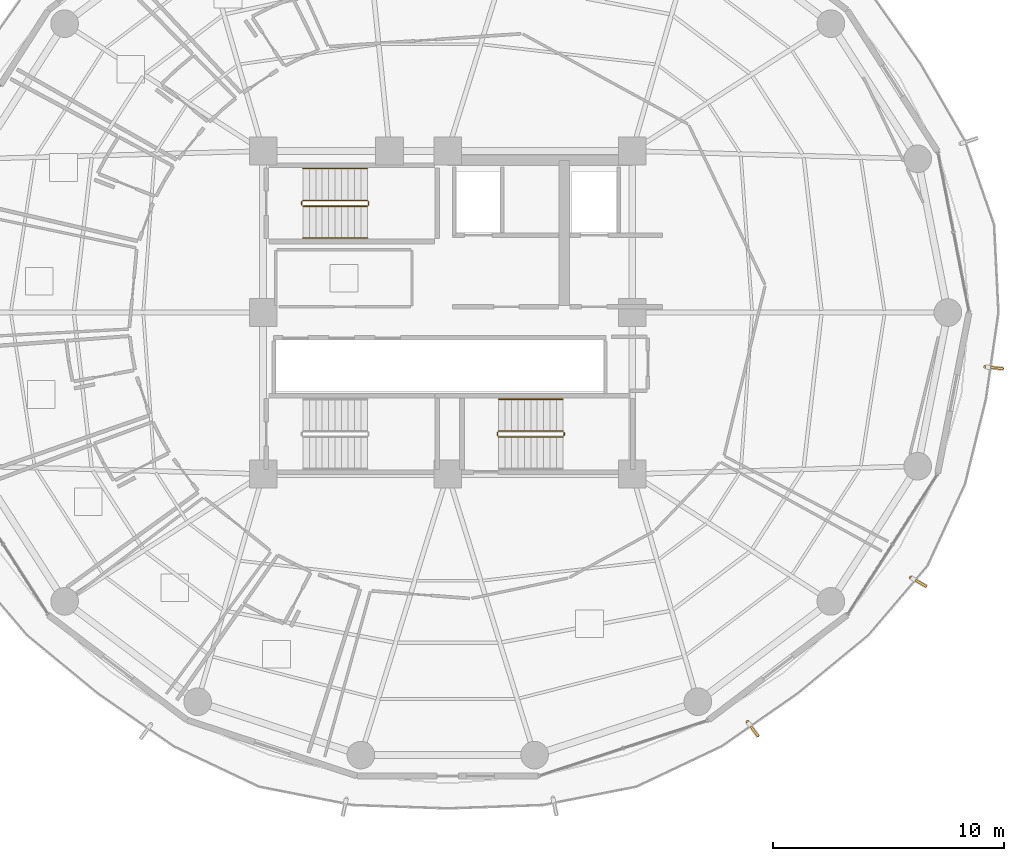
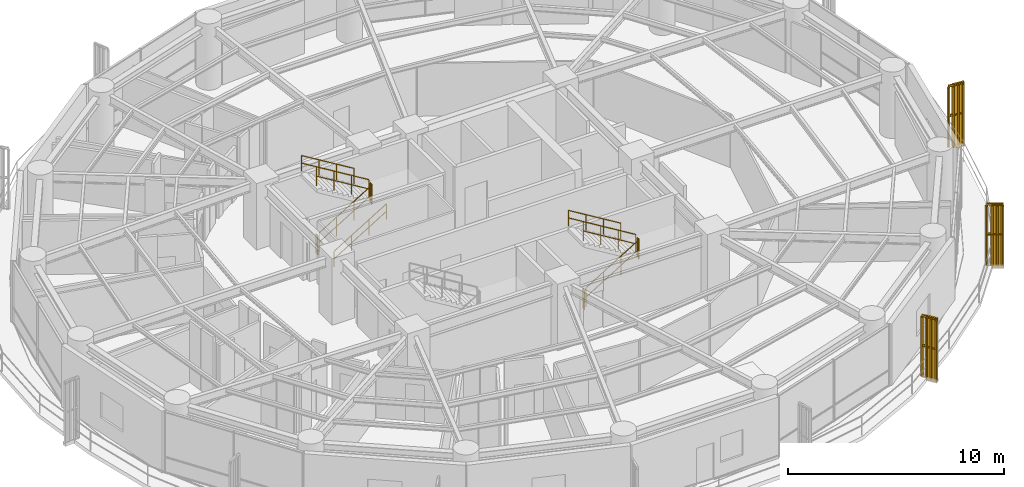
# One storey, part 27 of 28: 14 railings, 3 shading devices.
"""IFC4 building model written with IfcOpenShell, lengths in metres."""

from ifc_helpers import new_model, si_unit, direction, frame, origin, origin_2d, place, context, subcontext, project, spatial, polyline, rectangle, outline, extrude, source, transform, mapped, material, type_object, element, save


model = new_model("IFC4")

# Units and contexts
model_context = context("Model", 3, precision=1e-05, world=origin(), true_north=direction((0.0, 1.0)))
body_context = subcontext(model_context, "Body", "Model", "MODEL_VIEW")
ifc_project = project(units=[si_unit("LENGTHUNIT", "METRE"), si_unit("AREAUNIT", "SQUARE_METRE"), si_unit("VOLUMEUNIT", "CUBIC_METRE"), si_unit("PLANEANGLEUNIT", "RADIAN"), si_unit("MASSUNIT", "GRAM", prefix="KILO")], contexts=[model_context])

# Site, building, storey
site_placement = place(None, origin())
site = spatial("IfcSite", under=ifc_project, at=site_placement, CompositionType="ELEMENT")
building_placement = place(site_placement, origin())
building = spatial("IfcBuilding", under=site, at=building_placement, Name="Kelanora Arch Commons", CompositionType="ELEMENT")
storey_placement = place(building_placement, frame((0.0, 0.0, 139.35009765625)))
storey = spatial("IfcBuildingStorey", under=building, at=storey_placement, Name="L35", CompositionType="ELEMENT", Elevation=139.35009765625)

# Railings
ifc_material_1 = material(Name="Anodised bronze vertical shading fin rib assembly")
railing_type_1 = type_object("IfcRailingType", Name="RAIL-FIN-BRZ", PredefinedType="BALUSTRADE", material=ifc_material_1)
railing_1_placement = place(storey_placement, frame((87.00048828125, 40.251953125, -0.02001953125)))
element("IfcRailing", 1, at=railing_1_placement, inside=storey, type_object=railing_type_1, Name="Sweeping Bronze Vertical Fin Blade L35-12", PredefinedType="BALUSTRADE", context=body_context, shape_type="SweptSolid", body=[
    extrude(outline(polyline([(0.06982421875, 0.0), (0.034912109375, 0.060546875), (-0.034912109375, 0.060546875), (-0.06982421875, 0.0), (-0.034912109375, -0.060546875), (0.034912109375, -0.060546875), (0.06982421875, 0.0)])), frame((0.0, 0.0, 3.419921875), z_axis=(0.591103324917, -0.806595846303, 0.0), x_axis=(0.806595846303, 0.591103324917, 0.0)), (0.0, 0.0, 1.0), 0.73193359375),
    extrude(outline(polyline([(0.06982421875, 0.0), (0.034912109375, 0.060546875), (-0.034912109375, 0.060546875), (-0.06982421875, 0.0), (-0.034912109375, -0.060546875), (0.034912109375, -0.060546875), (0.06982421875, 0.0)])), frame((0.0, 0.0, 1.7451171875), z_axis=(0.591103324917, -0.806595846303, 0.0), x_axis=(0.806595846303, 0.591103324917, 0.0)), (0.0, 0.0, 1.0), 0.73193359375),
    extrude(outline(polyline([(0.080078125, 0.0), (0.0400390625, 0.0693359375), (-0.0400390625, 0.0693359375), (-0.080078125, 0.0), (-0.0400390625, -0.0693359375), (0.0400390625, -0.0693359375), (0.080078125, 0.0)])), origin(), (0.0, 0.0, 1.0), 3.35009765625),
    extrude(outline(polyline([(0.080078125, 0.0), (0.0400390625, 0.0693359375), (-0.0400390625, 0.0693359375), (-0.080078125, 0.0), (-0.0400390625, -0.0693359375), (0.0400390625, -0.0693359375), (0.080078125, 0.0)])), frame((0.144287109375, -0.19677734375, 0.0)), (0.0, 0.0, 1.0), 3.35009765625),
    extrude(outline(polyline([(0.080078125, 0.0), (0.0400390625, 0.0693359375), (-0.0400390625, 0.0693359375), (-0.080078125, 0.0), (-0.0400390625, -0.0693359375), (0.0400390625, -0.0693359375), (0.080078125, 0.0)])), frame((0.288330078125, -0.3935546875, 0.0)), (0.0, 0.0, 1.0), 3.35009765625),
    extrude(outline(polyline([(0.080078125, 0.0), (0.0400390625, 0.0693359375), (-0.0400390625, 0.0693359375), (-0.080078125, 0.0), (-0.0400390625, -0.0693359375), (0.0400390625, -0.0693359375), (0.080078125, 0.0)])), frame((0.4326171875, -0.59033203125, 0.0)), (0.0, 0.0, 1.0), 3.35009765625),
])
railing_2_placement = place(storey_placement, frame((94.077880859375, 46.511962890625, -0.02001953125)))
element("IfcRailing", 2, at=railing_2_placement, inside=storey, type_object=railing_type_1, Name="Sweeping Bronze Vertical Fin Blade L35-13", PredefinedType="BALUSTRADE", context=body_context, shape_type="SweptSolid", body=[
    extrude(outline(polyline([(0.06982421875, 0.0), (0.034912109375, 0.060546875), (-0.034912109375, 0.060546875), (-0.06982421875, 0.0), (-0.034912109375, -0.060546875), (0.034912109375, -0.060546875), (0.06982421875, 0.0)])), frame((0.0, 0.0, 3.419921875), z_axis=(0.867996598223, -0.496570141544, 0.0), x_axis=(0.496570141544, 0.867996598223, 0.0)), (0.0, 0.0, 1.0), 0.731689453125),
    extrude(outline(polyline([(0.06982421875, 0.0), (0.034912109375, 0.060546875), (-0.034912109375, 0.060546875), (-0.06982421875, 0.0), (-0.034912109375, -0.060546875), (0.034912109375, -0.060546875), (0.06982421875, 0.0)])), frame((0.0, 0.0, 1.7451171875), z_axis=(0.867996598223, -0.496570141544, 0.0), x_axis=(0.496570141544, 0.867996598223, 0.0)), (0.0, 0.0, 1.0), 0.731689453125),
    extrude(outline(polyline([(0.080078125, 0.0), (0.0400390625, 0.0693359375), (-0.0400390625, 0.0693359375), (-0.080078125, 0.0), (-0.0400390625, -0.0693359375), (0.0400390625, -0.0693359375), (0.080078125, 0.0)])), origin(), (0.0, 0.0, 1.0), 3.35009765625),
    extrude(outline(polyline([(0.080078125, 0.0), (0.0400390625, 0.0693359375), (-0.0400390625, 0.0693359375), (-0.080078125, 0.0), (-0.0400390625, -0.0693359375), (0.0400390625, -0.0693359375), (0.080078125, 0.0)])), frame((0.211669921875, -0.12109375, 0.0)), (0.0, 0.0, 1.0), 3.35009765625),
    extrude(outline(polyline([(0.080078125, 0.0), (0.0400390625, 0.0693359375), (-0.0400390625, 0.0693359375), (-0.080078125, 0.0), (-0.0400390625, -0.0693359375), (0.0400390625, -0.0693359375), (0.080078125, 0.0)])), frame((0.42333984375, -0.2421875, 0.0)), (0.0, 0.0, 1.0), 3.35009765625),
    extrude(outline(polyline([(0.080078125, 0.0), (0.0400390625, 0.0693359375), (-0.0400390625, 0.0693359375), (-0.080078125, 0.0), (-0.0400390625, -0.0693359375), (0.0400390625, -0.0693359375), (0.080078125, 0.0)])), frame((0.635009765625, -0.36328125, 0.0)), (0.0, 0.0, 1.0), 3.35009765625),
])
railing_3_placement = place(storey_placement, frame((97.304931640625, 55.64208984375, -0.02001953125)))
element("IfcRailing", 3, at=railing_3_placement, inside=storey, type_object=railing_type_1, Name="Sweeping Bronze Vertical Fin Blade L35-14", PredefinedType="BALUSTRADE", context=body_context, shape_type="SweptSolid", body=[
    extrude(outline(polyline([(0.06982421875, 0.0), (0.034912109375, 0.060546875), (-0.034912109375, 0.060546875), (-0.06982421875, 0.0), (-0.034912109375, -0.060546875), (0.034912109375, -0.060546875), (0.06982421875, 0.0)])), frame((0.0, 0.0, 3.419921875), z_axis=(0.994947626755, -0.10039531869, 0.0), x_axis=(0.10039531869, 0.994947626755, 0.0)), (0.0, 0.0, 1.0), 0.73193359375),
    extrude(outline(polyline([(0.06982421875, 0.0), (0.034912109375, 0.060546875), (-0.034912109375, 0.060546875), (-0.06982421875, 0.0), (-0.034912109375, -0.060546875), (0.034912109375, -0.060546875), (0.06982421875, 0.0)])), frame((0.0, 0.0, 1.7451171875), z_axis=(0.994947626755, -0.10039531869, 0.0), x_axis=(0.10039531869, 0.994947626755, 0.0)), (0.0, 0.0, 1.0), 0.73193359375),
    extrude(outline(polyline([(0.080078125, 0.0), (0.0400390625, 0.0693359375), (-0.0400390625, 0.0693359375), (-0.080078125, 0.0), (-0.0400390625, -0.0693359375), (0.0400390625, -0.0693359375), (0.080078125, 0.0)])), origin(), (0.0, 0.0, 1.0), 3.35009765625),
    extrude(outline(polyline([(0.080078125, 0.0), (0.0400390625, 0.0693359375), (-0.0400390625, 0.0693359375), (-0.080078125, 0.0), (-0.0400390625, -0.0693359375), (0.0400390625, -0.0693359375), (0.080078125, 0.0)])), frame((0.24267578125, -0.0244140625, 0.0)), (0.0, 0.0, 1.0), 3.35009765625),
    extrude(outline(polyline([(0.080078125, 0.0), (0.0400390625, 0.0693359375), (-0.0400390625, 0.0693359375), (-0.080078125, 0.0), (-0.0400390625, -0.0693359375), (0.0400390625, -0.0693359375), (0.080078125, 0.0)])), frame((0.485595703125, -0.049072265625, 0.0)), (0.0, 0.0, 1.0), 3.35009765625),
    extrude(outline(polyline([(0.080078125, 0.0), (0.0400390625, 0.0693359375), (-0.0400390625, 0.0693359375), (-0.080078125, 0.0), (-0.0400390625, -0.0693359375), (0.0400390625, -0.0693359375), (0.080078125, 0.0)])), frame((0.728271484375, -0.073486328125, 0.0)), (0.0, 0.0, 1.0), 3.35009765625),
])
ifc_material_2 = material(Name="Painted steel stair well guard", Category="steel")
railing_type_2 = type_object("IfcRailingType", Name="RAIL-STAIR-GRD", PredefinedType="GUARDRAIL", material=ifc_material_2)
railing_4_placement = place(storey_placement, frame((67.719970703125, 62.610107421875, 0.17041015625)))
element("IfcRailing", 4, at=railing_4_placement, inside=storey, type_object=railing_type_2, Name="L35 ST-T1 stair guard 1", PredefinedType="GUARDRAIL", context=body_context, shape_type="SweptSolid", body=[
    extrude(outline(polyline([(0.02392578125, 0.0), (0.011962890625, 0.020751953125), (-0.011962890625, 0.020751953125), (-0.02392578125, 0.0), (-0.011962890625, -0.020751953125), (0.011962890625, -0.020751953125), (0.02392578125, 0.0)])), frame((0.0, 0.0, 1.076171875), z_axis=(0.854169791009, 0.0, 0.51999420009), x_axis=(0.0, 1.0, 0.0)), (0.0, 0.0, 1.0), 3.278076171875),
    extrude(outline(polyline([(0.02392578125, 0.0), (0.011962890625, 0.020751953125), (-0.011962890625, 0.020751953125), (-0.02392578125, 0.0), (-0.011962890625, -0.020751953125), (0.011962890625, -0.020751953125), (0.02392578125, 0.0)])), frame((0.0, 0.0, 0.550048828125), z_axis=(0.854169791009, 0.0, 0.51999420009), x_axis=(0.0, 1.0, 0.0)), (0.0, 0.0, 1.0), 3.278076171875),
    extrude(outline(polyline([(0.02099609375, 0.0), (0.010498046875, 0.01806640625), (-0.010498046875, 0.01806640625), (-0.02099609375, 0.0), (-0.010498046875, -0.01806640625), (0.010498046875, -0.01806640625), (0.02099609375, 0.0)])), origin(), (0.0, 0.0, 1.0), 1.052001953125),
    extrude(outline(polyline([(0.02099609375, 0.0), (0.010498046875, 0.01806640625), (-0.010498046875, 0.01806640625), (-0.02099609375, 0.0), (-0.010498046875, -0.01806640625), (0.010498046875, -0.01806640625), (0.02099609375, 0.0)])), frame((0.933349609375, 0.0, 0.568115234375)), (0.0, 0.0, 1.0), 1.052001953125),
    extrude(outline(polyline([(0.02099609375, 0.0), (0.010498046875, 0.01806640625), (-0.010498046875, 0.01806640625), (-0.02099609375, 0.0), (-0.010498046875, -0.01806640625), (0.010498046875, -0.01806640625), (0.02099609375, 0.0)])), frame((1.86669921875, 0.0, 1.136474609375)), (0.0, 0.0, 1.0), 1.052001953125),
    extrude(outline(polyline([(0.02099609375, 0.0), (0.010498046875, 0.01806640625), (-0.010498046875, 0.01806640625), (-0.02099609375, 0.0), (-0.010498046875, -0.01806640625), (0.010498046875, -0.01806640625), (0.02099609375, 0.0)])), frame((2.800048828125, 0.0, 1.70458984375)), (0.0, 0.0, 1.0), 1.052001953125),
])
railing_5_placement = place(storey_placement, frame((70.570068359375, 62.659912109375, 1.875)))
element("IfcRailing", 5, at=railing_5_placement, inside=storey, type_object=railing_type_2, Name="L35 ST-T1 stair guard 2", PredefinedType="GUARDRAIL", context=body_context, shape_type="SweptSolid", body=[
    extrude(outline(polyline([(0.02392578125, 0.0), (0.011962890625, 0.020751953125), (-0.011962890625, 0.020751953125), (-0.02392578125, 0.0), (-0.011962890625, -0.020751953125), (0.011962890625, -0.020751953125), (0.02392578125, 0.0)])), frame((0.0, 0.0, 1.076171875), z_axis=(0.0, 1.0, 0.0), x_axis=(-1.0, 0.0, 0.0)), (0.0, 0.0, 1.0), 0.150146484375),
    extrude(outline(polyline([(0.02392578125, 0.0), (0.011962890625, 0.020751953125), (-0.011962890625, 0.020751953125), (-0.02392578125, 0.0), (-0.011962890625, -0.020751953125), (0.011962890625, -0.020751953125), (0.02392578125, 0.0)])), frame((0.0, 0.0, 0.550048828125), z_axis=(0.0, 1.0, 0.0), x_axis=(-1.0, 0.0, 0.0)), (0.0, 0.0, 1.0), 0.150146484375),
    extrude(outline(polyline([(0.02099609375, 0.0), (0.010498046875, 0.01806640625), (-0.010498046875, 0.01806640625), (-0.02099609375, 0.0), (-0.010498046875, -0.01806640625), (0.010498046875, -0.01806640625), (0.02099609375, 0.0)])), origin(), (0.0, 0.0, 1.0), 1.052001953125),
    extrude(outline(polyline([(0.02099609375, 0.0), (0.010498046875, 0.01806640625), (-0.010498046875, 0.01806640625), (-0.02099609375, 0.0), (-0.010498046875, -0.01806640625), (0.010498046875, -0.01806640625), (0.02099609375, 0.0)])), frame((0.0, 0.150146484375, 0.0)), (0.0, 0.0, 1.0), 1.052001953125),
])
railing_6_placement = place(storey_placement, frame((70.52001953125, 62.860107421875, 2.04541015625)))
element("IfcRailing", 6, at=railing_6_placement, inside=storey, type_object=railing_type_2, Name="L35 ST-T1 stair guard 3", PredefinedType="GUARDRAIL", context=body_context, shape_type="SweptSolid", body=[
    extrude(outline(polyline([(0.02392578125, 0.0), (0.011962890625, 0.020751953125), (-0.011962890625, 0.020751953125), (-0.02392578125, 0.0), (-0.011962890625, -0.020751953125), (0.011962890625, -0.020751953125), (0.02392578125, 0.0)])), frame((0.0, 0.0, 1.076171875), z_axis=(-0.854169791009, 0.0, 0.51999420009), x_axis=(0.0, -1.0, 0.0)), (0.0, 0.0, 1.0), 3.278076171875),
    extrude(outline(polyline([(0.02392578125, 0.0), (0.011962890625, 0.020751953125), (-0.011962890625, 0.020751953125), (-0.02392578125, 0.0), (-0.011962890625, -0.020751953125), (0.011962890625, -0.020751953125), (0.02392578125, 0.0)])), frame((0.0, 0.0, 0.550048828125), z_axis=(-0.854169791009, 0.0, 0.51999420009), x_axis=(0.0, -1.0, 0.0)), (0.0, 0.0, 1.0), 3.278076171875),
    extrude(outline(polyline([(0.02099609375, 0.0), (0.010498046875, 0.01806640625), (-0.010498046875, 0.01806640625), (-0.02099609375, 0.0), (-0.010498046875, -0.01806640625), (0.010498046875, -0.01806640625), (0.02099609375, 0.0)])), origin(), (0.0, 0.0, 1.0), 1.052001953125),
    extrude(outline(polyline([(0.02099609375, 0.0), (0.010498046875, 0.01806640625), (-0.010498046875, 0.01806640625), (-0.02099609375, 0.0), (-0.010498046875, -0.01806640625), (0.010498046875, -0.01806640625), (0.02099609375, 0.0)])), frame((-0.933349609375, 0.0, 0.568115234375)), (0.0, 0.0, 1.0), 1.052001953125),
    extrude(outline(polyline([(0.02099609375, 0.0), (0.010498046875, 0.01806640625), (-0.010498046875, 0.01806640625), (-0.02099609375, 0.0), (-0.010498046875, -0.01806640625), (0.010498046875, -0.01806640625), (0.02099609375, 0.0)])), frame((-1.86669921875, 0.0, 1.136474609375)), (0.0, 0.0, 1.0), 1.052001953125),
    extrude(outline(polyline([(0.02099609375, 0.0), (0.010498046875, 0.01806640625), (-0.010498046875, 0.01806640625), (-0.02099609375, 0.0), (-0.010498046875, -0.01806640625), (0.010498046875, -0.01806640625), (0.02099609375, 0.0)])), frame((-2.800048828125, 0.0, 1.70458984375)), (0.0, 0.0, 1.0), 1.052001953125),
])
railing_7_placement = place(storey_placement, frame((67.669921875, 62.659912109375, 0.0)))
element("IfcRailing", 7, at=railing_7_placement, inside=storey, type_object=railing_type_2, Name="L35 ST-T1 stair guard 4", PredefinedType="GUARDRAIL", context=body_context, shape_type="SweptSolid", body=[
    extrude(outline(polyline([(0.02392578125, 0.0), (0.011962890625, 0.020751953125), (-0.011962890625, 0.020751953125), (-0.02392578125, 0.0), (-0.011962890625, -0.020751953125), (0.011962890625, -0.020751953125), (0.02392578125, 0.0)])), frame((0.0, 0.0, 1.076171875), z_axis=(0.0, 1.0, 0.0), x_axis=(-1.0, 0.0, 0.0)), (0.0, 0.0, 1.0), 0.150146484375),
    extrude(outline(polyline([(0.02392578125, 0.0), (0.011962890625, 0.020751953125), (-0.011962890625, 0.020751953125), (-0.02392578125, 0.0), (-0.011962890625, -0.020751953125), (0.011962890625, -0.020751953125), (0.02392578125, 0.0)])), frame((0.0, 0.0, 0.550048828125), z_axis=(0.0, 1.0, 0.0), x_axis=(-1.0, 0.0, 0.0)), (0.0, 0.0, 1.0), 0.150146484375),
    extrude(outline(polyline([(0.02099609375, 0.0), (0.010498046875, 0.01806640625), (-0.010498046875, 0.01806640625), (-0.02099609375, 0.0), (-0.010498046875, -0.01806640625), (0.010498046875, -0.01806640625), (0.02099609375, 0.0)])), origin(), (0.0, 0.0, 1.0), 1.052001953125),
    extrude(outline(polyline([(0.02099609375, 0.0), (0.010498046875, 0.01806640625), (-0.010498046875, 0.01806640625), (-0.02099609375, 0.0), (-0.010498046875, -0.01806640625), (0.010498046875, -0.01806640625), (0.02099609375, 0.0)])), frame((0.0, 0.150146484375, 0.0)), (0.0, 0.0, 1.0), 1.052001953125),
])
railing_8_placement = place(storey_placement, frame((76.199951171875, 52.610107421875, 0.17041015625)))
element("IfcRailing", 8, at=railing_8_placement, inside=storey, type_object=railing_type_2, Name="L35 ST-T2 stair guard 1", PredefinedType="GUARDRAIL", context=body_context, shape_type="SweptSolid", body=[
    extrude(outline(polyline([(0.02392578125, 0.0), (0.011962890625, 0.020751953125), (-0.011962890625, 0.020751953125), (-0.02392578125, 0.0), (-0.011962890625, -0.020751953125), (0.011962890625, -0.020751953125), (0.02392578125, 0.0)])), frame((0.0, 0.0, 1.076171875), z_axis=(0.854169791009, 0.0, 0.51999420009), x_axis=(0.0, 1.0, 0.0)), (0.0, 0.0, 1.0), 3.278076171875),
    extrude(outline(polyline([(0.02392578125, 0.0), (0.011962890625, 0.020751953125), (-0.011962890625, 0.020751953125), (-0.02392578125, 0.0), (-0.011962890625, -0.020751953125), (0.011962890625, -0.020751953125), (0.02392578125, 0.0)])), frame((0.0, 0.0, 0.550048828125), z_axis=(0.854169791009, 0.0, 0.51999420009), x_axis=(0.0, 1.0, 0.0)), (0.0, 0.0, 1.0), 3.278076171875),
    extrude(outline(polyline([(0.02099609375, 0.0), (0.010498046875, 0.01806640625), (-0.010498046875, 0.01806640625), (-0.02099609375, 0.0), (-0.010498046875, -0.01806640625), (0.010498046875, -0.01806640625), (0.02099609375, 0.0)])), origin(), (0.0, 0.0, 1.0), 1.052001953125),
    extrude(outline(polyline([(0.02099609375, 0.0), (0.010498046875, 0.01806640625), (-0.010498046875, 0.01806640625), (-0.02099609375, 0.0), (-0.010498046875, -0.01806640625), (0.010498046875, -0.01806640625), (0.02099609375, 0.0)])), frame((0.933349609375, 0.0, 0.568115234375)), (0.0, 0.0, 1.0), 1.052001953125),
    extrude(outline(polyline([(0.02099609375, 0.0), (0.010498046875, 0.01806640625), (-0.010498046875, 0.01806640625), (-0.02099609375, 0.0), (-0.010498046875, -0.01806640625), (0.010498046875, -0.01806640625), (0.02099609375, 0.0)])), frame((1.86669921875, 0.0, 1.136474609375)), (0.0, 0.0, 1.0), 1.052001953125),
    extrude(outline(polyline([(0.02099609375, 0.0), (0.010498046875, 0.01806640625), (-0.010498046875, 0.01806640625), (-0.02099609375, 0.0), (-0.010498046875, -0.01806640625), (0.010498046875, -0.01806640625), (0.02099609375, 0.0)])), frame((2.800048828125, 0.0, 1.70458984375)), (0.0, 0.0, 1.0), 1.052001953125),
])
railing_9_placement = place(storey_placement, frame((79.050048828125, 52.659912109375, 1.875)))
element("IfcRailing", 9, at=railing_9_placement, inside=storey, type_object=railing_type_2, Name="L35 ST-T2 stair guard 2", PredefinedType="GUARDRAIL", context=body_context, shape_type="SweptSolid", body=[
    extrude(outline(polyline([(0.02392578125, 0.0), (0.011962890625, 0.020751953125), (-0.011962890625, 0.020751953125), (-0.02392578125, 0.0), (-0.011962890625, -0.020751953125), (0.011962890625, -0.020751953125), (0.02392578125, 0.0)])), frame((0.0, 0.0, 1.076171875), z_axis=(0.0, 1.0, 0.0), x_axis=(-1.0, 0.0, 0.0)), (0.0, 0.0, 1.0), 0.150146484375),
    extrude(outline(polyline([(0.02392578125, 0.0), (0.011962890625, 0.020751953125), (-0.011962890625, 0.020751953125), (-0.02392578125, 0.0), (-0.011962890625, -0.020751953125), (0.011962890625, -0.020751953125), (0.02392578125, 0.0)])), frame((0.0, 0.0, 0.550048828125), z_axis=(0.0, 1.0, 0.0), x_axis=(-1.0, 0.0, 0.0)), (0.0, 0.0, 1.0), 0.150146484375),
    extrude(outline(polyline([(0.02099609375, 0.0), (0.010498046875, 0.01806640625), (-0.010498046875, 0.01806640625), (-0.02099609375, 0.0), (-0.010498046875, -0.01806640625), (0.010498046875, -0.01806640625), (0.02099609375, 0.0)])), origin(), (0.0, 0.0, 1.0), 1.052001953125),
    extrude(outline(polyline([(0.02099609375, 0.0), (0.010498046875, 0.01806640625), (-0.010498046875, 0.01806640625), (-0.02099609375, 0.0), (-0.010498046875, -0.01806640625), (0.010498046875, -0.01806640625), (0.02099609375, 0.0)])), frame((0.0, 0.150146484375, 0.0)), (0.0, 0.0, 1.0), 1.052001953125),
])
railing_10_placement = place(storey_placement, frame((79.0, 52.860107421875, 2.04541015625)))
element("IfcRailing", 10, at=railing_10_placement, inside=storey, type_object=railing_type_2, Name="L35 ST-T2 stair guard 3", PredefinedType="GUARDRAIL", context=body_context, shape_type="SweptSolid", body=[
    extrude(outline(polyline([(0.02392578125, 0.0), (0.011962890625, 0.020751953125), (-0.011962890625, 0.020751953125), (-0.02392578125, 0.0), (-0.011962890625, -0.020751953125), (0.011962890625, -0.020751953125), (0.02392578125, 0.0)])), frame((0.0, 0.0, 1.076171875), z_axis=(-0.854169791009, 0.0, 0.51999420009), x_axis=(0.0, -1.0, 0.0)), (0.0, 0.0, 1.0), 3.278076171875),
    extrude(outline(polyline([(0.02392578125, 0.0), (0.011962890625, 0.020751953125), (-0.011962890625, 0.020751953125), (-0.02392578125, 0.0), (-0.011962890625, -0.020751953125), (0.011962890625, -0.020751953125), (0.02392578125, 0.0)])), frame((0.0, 0.0, 0.550048828125), z_axis=(-0.854169791009, 0.0, 0.51999420009), x_axis=(0.0, -1.0, 0.0)), (0.0, 0.0, 1.0), 3.278076171875),
    extrude(outline(polyline([(0.02099609375, 0.0), (0.010498046875, 0.01806640625), (-0.010498046875, 0.01806640625), (-0.02099609375, 0.0), (-0.010498046875, -0.01806640625), (0.010498046875, -0.01806640625), (0.02099609375, 0.0)])), origin(), (0.0, 0.0, 1.0), 1.052001953125),
    extrude(outline(polyline([(0.02099609375, 0.0), (0.010498046875, 0.01806640625), (-0.010498046875, 0.01806640625), (-0.02099609375, 0.0), (-0.010498046875, -0.01806640625), (0.010498046875, -0.01806640625), (0.02099609375, 0.0)])), frame((-0.933349609375, 0.0, 0.568115234375)), (0.0, 0.0, 1.0), 1.052001953125),
    extrude(outline(polyline([(0.02099609375, 0.0), (0.010498046875, 0.01806640625), (-0.010498046875, 0.01806640625), (-0.02099609375, 0.0), (-0.010498046875, -0.01806640625), (0.010498046875, -0.01806640625), (0.02099609375, 0.0)])), frame((-1.86669921875, 0.0, 1.136474609375)), (0.0, 0.0, 1.0), 1.052001953125),
    extrude(outline(polyline([(0.02099609375, 0.0), (0.010498046875, 0.01806640625), (-0.010498046875, 0.01806640625), (-0.02099609375, 0.0), (-0.010498046875, -0.01806640625), (0.010498046875, -0.01806640625), (0.02099609375, 0.0)])), frame((-2.800048828125, 0.0, 1.70458984375)), (0.0, 0.0, 1.0), 1.052001953125),
])
railing_11_placement = place(storey_placement, frame((76.14990234375, 52.659912109375, 0.0)))
element("IfcRailing", 11, at=railing_11_placement, inside=storey, type_object=railing_type_2, Name="L35 ST-T2 stair guard 4", PredefinedType="GUARDRAIL", context=body_context, shape_type="SweptSolid", body=[
    extrude(outline(polyline([(0.02392578125, 0.0), (0.011962890625, 0.020751953125), (-0.011962890625, 0.020751953125), (-0.02392578125, 0.0), (-0.011962890625, -0.020751953125), (0.011962890625, -0.020751953125), (0.02392578125, 0.0)])), frame((0.0, 0.0, 1.076171875), z_axis=(0.0, 1.0, 0.0), x_axis=(-1.0, 0.0, 0.0)), (0.0, 0.0, 1.0), 0.150146484375),
    extrude(outline(polyline([(0.02392578125, 0.0), (0.011962890625, 0.020751953125), (-0.011962890625, 0.020751953125), (-0.02392578125, 0.0), (-0.011962890625, -0.020751953125), (0.011962890625, -0.020751953125), (0.02392578125, 0.0)])), frame((0.0, 0.0, 0.550048828125), z_axis=(0.0, 1.0, 0.0), x_axis=(-1.0, 0.0, 0.0)), (0.0, 0.0, 1.0), 0.150146484375),
    extrude(outline(polyline([(0.02099609375, 0.0), (0.010498046875, 0.01806640625), (-0.010498046875, 0.01806640625), (-0.02099609375, 0.0), (-0.010498046875, -0.01806640625), (0.010498046875, -0.01806640625), (0.02099609375, 0.0)])), origin(), (0.0, 0.0, 1.0), 1.052001953125),
    extrude(outline(polyline([(0.02099609375, 0.0), (0.010498046875, 0.01806640625), (-0.010498046875, 0.01806640625), (-0.02099609375, 0.0), (-0.010498046875, -0.01806640625), (0.010498046875, -0.01806640625), (0.02099609375, 0.0)])), frame((0.0, 0.150146484375, 0.0)), (0.0, 0.0, 1.0), 1.052001953125),
])
ifc_material_3 = material(Name="Brushed stainless steel stair handrail", Category="steel")
railing_type_3 = type_object("IfcRailingType", Name="RAIL-STAIR-HND", PredefinedType="HANDRAIL", material=ifc_material_3)
railing_12_placement = place(storey_placement, frame((67.719970703125, 61.22998046875, 0.17041015625)))
element("IfcRailing", 12, at=railing_12_placement, inside=storey, type_object=railing_type_3, Name="L35 ST-T1 stair handrail 1", PredefinedType="HANDRAIL", context=body_context, shape_type="SweptSolid", body=[
    extrude(outline(polyline([(0.02392578125, 0.0), (0.011962890625, 0.020751953125), (-0.011962890625, 0.020751953125), (-0.02392578125, 0.0), (-0.011962890625, -0.020751953125), (0.011962890625, -0.020751953125), (0.02392578125, 0.0)])), frame((0.0, 0.0, 0.8759765625), z_axis=(0.854169791009, 0.0, 0.51999420009), x_axis=(0.0, 1.0, 0.0)), (0.0, 0.0, 1.0), 3.278076171875),
    extrude(outline(polyline([(0.02392578125, 0.0), (0.011962890625, 0.020751953125), (-0.011962890625, 0.020751953125), (-0.02392578125, 0.0), (-0.011962890625, -0.020751953125), (0.011962890625, -0.020751953125), (0.02392578125, 0.0)])), frame((0.0, 0.0, 0.449951171875), z_axis=(0.854169791009, 0.0, 0.51999420009), x_axis=(0.0, 1.0, 0.0)), (0.0, 0.0, 1.0), 3.278076171875),
    extrude(outline(polyline([(0.02099609375, 0.0), (0.010498046875, 0.01806640625), (-0.010498046875, 0.01806640625), (-0.02099609375, 0.0), (-0.010498046875, -0.01806640625), (0.010498046875, -0.01806640625), (0.02099609375, 0.0)])), origin(), (0.0, 0.0, 1.0), 0.851806640625),
    extrude(outline(polyline([(0.02099609375, 0.0), (0.010498046875, 0.01806640625), (-0.010498046875, 0.01806640625), (-0.02099609375, 0.0), (-0.010498046875, -0.01806640625), (0.010498046875, -0.01806640625), (0.02099609375, 0.0)])), frame((0.933349609375, 0.0, 0.568115234375)), (0.0, 0.0, 1.0), 0.851806640625),
    extrude(outline(polyline([(0.02099609375, 0.0), (0.010498046875, 0.01806640625), (-0.010498046875, 0.01806640625), (-0.02099609375, 0.0), (-0.010498046875, -0.01806640625), (0.010498046875, -0.01806640625), (0.02099609375, 0.0)])), frame((1.86669921875, 0.0, 1.136474609375)), (0.0, 0.0, 1.0), 0.851806640625),
    extrude(outline(polyline([(0.02099609375, 0.0), (0.010498046875, 0.01806640625), (-0.010498046875, 0.01806640625), (-0.02099609375, 0.0), (-0.010498046875, -0.01806640625), (0.010498046875, -0.01806640625), (0.02099609375, 0.0)])), frame((2.800048828125, 0.0, 1.70458984375)), (0.0, 0.0, 1.0), 0.851806640625),
])
railing_13_placement = place(storey_placement, frame((70.52001953125, 64.239990234375, 2.04541015625)))
element("IfcRailing", 13, at=railing_13_placement, inside=storey, type_object=railing_type_3, Name="L35 ST-T1 stair handrail 2", PredefinedType="HANDRAIL", context=body_context, shape_type="SweptSolid", body=[
    extrude(outline(polyline([(0.02392578125, 0.0), (0.011962890625, 0.020751953125), (-0.011962890625, 0.020751953125), (-0.02392578125, 0.0), (-0.011962890625, -0.020751953125), (0.011962890625, -0.020751953125), (0.02392578125, 0.0)])), frame((0.0, 0.0, 0.8759765625), z_axis=(-0.854169791009, 0.0, 0.51999420009), x_axis=(0.0, -1.0, 0.0)), (0.0, 0.0, 1.0), 3.278076171875),
    extrude(outline(polyline([(0.02392578125, 0.0), (0.011962890625, 0.020751953125), (-0.011962890625, 0.020751953125), (-0.02392578125, 0.0), (-0.011962890625, -0.020751953125), (0.011962890625, -0.020751953125), (0.02392578125, 0.0)])), frame((0.0, 0.0, 0.449951171875), z_axis=(-0.854169791009, 0.0, 0.51999420009), x_axis=(0.0, -1.0, 0.0)), (0.0, 0.0, 1.0), 3.278076171875),
    extrude(outline(polyline([(0.02099609375, 0.0), (0.010498046875, 0.01806640625), (-0.010498046875, 0.01806640625), (-0.02099609375, 0.0), (-0.010498046875, -0.01806640625), (0.010498046875, -0.01806640625), (0.02099609375, 0.0)])), origin(), (0.0, 0.0, 1.0), 0.851806640625),
    extrude(outline(polyline([(0.02099609375, 0.0), (0.010498046875, 0.01806640625), (-0.010498046875, 0.01806640625), (-0.02099609375, 0.0), (-0.010498046875, -0.01806640625), (0.010498046875, -0.01806640625), (0.02099609375, 0.0)])), frame((-0.933349609375, 0.0, 0.568115234375)), (0.0, 0.0, 1.0), 0.851806640625),
    extrude(outline(polyline([(0.02099609375, 0.0), (0.010498046875, 0.01806640625), (-0.010498046875, 0.01806640625), (-0.02099609375, 0.0), (-0.010498046875, -0.01806640625), (0.010498046875, -0.01806640625), (0.02099609375, 0.0)])), frame((-1.86669921875, 0.0, 1.136474609375)), (0.0, 0.0, 1.0), 0.851806640625),
    extrude(outline(polyline([(0.02099609375, 0.0), (0.010498046875, 0.01806640625), (-0.010498046875, 0.01806640625), (-0.02099609375, 0.0), (-0.010498046875, -0.01806640625), (0.010498046875, -0.01806640625), (0.02099609375, 0.0)])), frame((-2.800048828125, 0.0, 1.70458984375)), (0.0, 0.0, 1.0), 0.851806640625),
])
railing_14_placement = place(storey_placement, frame((79.0, 54.239990234375, 2.04541015625)))
element("IfcRailing", 14, at=railing_14_placement, inside=storey, type_object=railing_type_3, Name="L35 ST-T2 stair handrail 2", PredefinedType="HANDRAIL", context=body_context, shape_type="SweptSolid", body=[
    extrude(outline(polyline([(0.02392578125, 0.0), (0.011962890625, 0.020751953125), (-0.011962890625, 0.020751953125), (-0.02392578125, 0.0), (-0.011962890625, -0.020751953125), (0.011962890625, -0.020751953125), (0.02392578125, 0.0)])), frame((0.0, 0.0, 0.8759765625), z_axis=(-0.854169791009, 0.0, 0.51999420009), x_axis=(0.0, -1.0, 0.0)), (0.0, 0.0, 1.0), 3.278076171875),
    extrude(outline(polyline([(0.02392578125, 0.0), (0.011962890625, 0.020751953125), (-0.011962890625, 0.020751953125), (-0.02392578125, 0.0), (-0.011962890625, -0.020751953125), (0.011962890625, -0.020751953125), (0.02392578125, 0.0)])), frame((0.0, 0.0, 0.449951171875), z_axis=(-0.854169791009, 0.0, 0.51999420009), x_axis=(0.0, -1.0, 0.0)), (0.0, 0.0, 1.0), 3.278076171875),
    extrude(outline(polyline([(0.02099609375, 0.0), (0.010498046875, 0.01806640625), (-0.010498046875, 0.01806640625), (-0.02099609375, 0.0), (-0.010498046875, -0.01806640625), (0.010498046875, -0.01806640625), (0.02099609375, 0.0)])), origin(), (0.0, 0.0, 1.0), 0.851806640625),
    extrude(outline(polyline([(0.02099609375, 0.0), (0.010498046875, 0.01806640625), (-0.010498046875, 0.01806640625), (-0.02099609375, 0.0), (-0.010498046875, -0.01806640625), (0.010498046875, -0.01806640625), (0.02099609375, 0.0)])), frame((-0.933349609375, 0.0, 0.568115234375)), (0.0, 0.0, 1.0), 0.851806640625),
    extrude(outline(polyline([(0.02099609375, 0.0), (0.010498046875, 0.01806640625), (-0.010498046875, 0.01806640625), (-0.02099609375, 0.0), (-0.010498046875, -0.01806640625), (0.010498046875, -0.01806640625), (0.02099609375, 0.0)])), frame((-1.86669921875, 0.0, 1.136474609375)), (0.0, 0.0, 1.0), 0.851806640625),
    extrude(outline(polyline([(0.02099609375, 0.0), (0.010498046875, 0.01806640625), (-0.010498046875, 0.01806640625), (-0.02099609375, 0.0), (-0.010498046875, -0.01806640625), (0.010498046875, -0.01806640625), (0.02099609375, 0.0)])), frame((-2.800048828125, 0.0, 1.70458984375)), (0.0, 0.0, 1.0), 0.851806640625),
])

# Shading devices
ifc_material_4 = material(Name="Terracotta ceramic-clad extruded aluminium fin", Category="masonry")
shading_device_type = type_object("IfcShadingDeviceType", Name="SHD-FIN-WAIST", PredefinedType="USERDEFINED", material=ifc_material_4)
shared_shape = source(origin(), body_context, "Body", "SweptSolid", [
    extrude(rectangle(XDim=0.56005859375, YDim=0.090087890625, at=origin_2d()), origin(), (0.0, 0.0, 1.0), 3.610107421875),
])
for number, where, z_axis, x_axis, name in (
    (15, (87.299560546875, 39.843994140625, -0.14013671875), (0.0, 0.0, 1.0), (0.59088731392, -0.806754102716, 0.0), "Sweeping Terracotta Fin L35-12"),
    (16, (94.516845703125, 46.2607421875, -0.14013671875), (0.0, 0.0, 1.0), (0.867938877136, -0.49667102347, 0.0), "Sweeping Terracotta Fin L35-13"),
    (17, (97.808349609375, 55.59130859375, -0.14013671875), (0.0, 0.0, 1.0), (0.994915923519, -0.100709012153, 0.0), "Sweeping Terracotta Fin L35-14"),
):
    element("IfcShadingDevice", number, at=place(storey_placement, frame(where, z_axis=z_axis, x_axis=x_axis)), inside=storey, type_object=shading_device_type, Name=name, ObjectType="FIN", PredefinedType="USERDEFINED", context=body_context, shape_type="MappedRepresentation", body=[
        mapped(shared_shape, transform((0.0, 0.0, 0.0), scale=1.0)),
    ])

save(model, "model.ifc")
